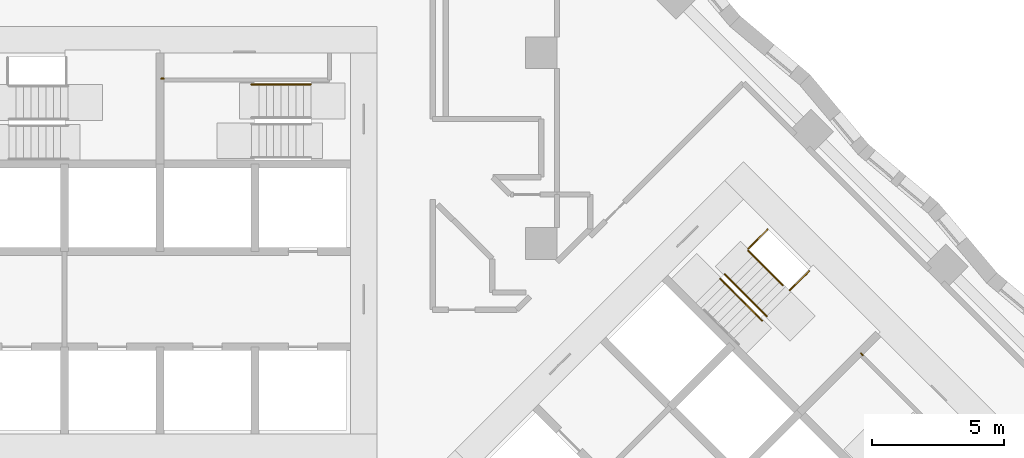
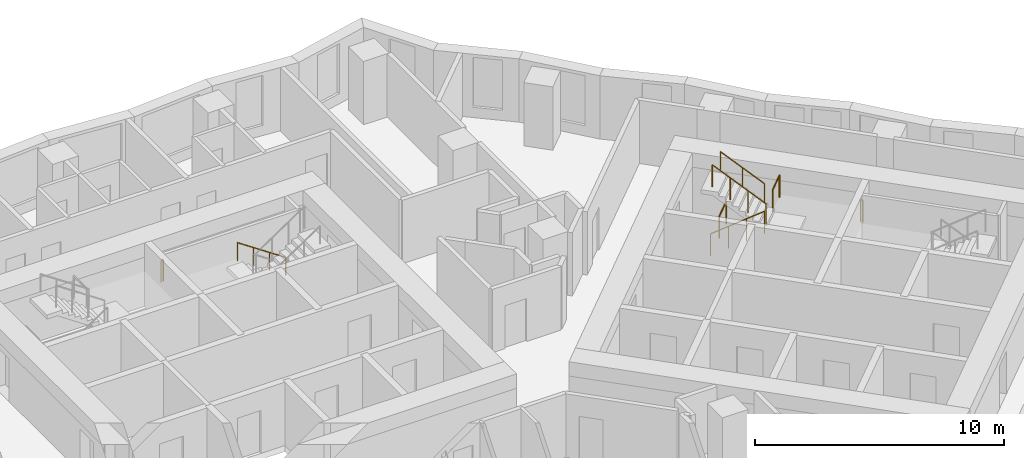
# One storey, part 15 of 15: 8 railings.
"""IFC4 building model written with IfcOpenShell, lengths in metres."""

from ifc_helpers import new_model, si_unit, direction, frame, origin, origin_2d, place, context, subcontext, project, spatial, circle, extrude, material, type_object, element, save


model = new_model("IFC4")

# Units and contexts
model_context = context("Model", 3, precision=1e-05, world=origin(), true_north=direction((0.0, 1.0)))
body_context = subcontext(model_context, "Body", "Model", "MODEL_VIEW")
ifc_project = project(units=[si_unit("LENGTHUNIT", "METRE"), si_unit("AREAUNIT", "SQUARE_METRE"), si_unit("VOLUMEUNIT", "CUBIC_METRE"), si_unit("PLANEANGLEUNIT", "RADIAN"), si_unit("MASSUNIT", "GRAM", prefix="KILO")], contexts=[model_context])

# Site, building, storey
site_placement = place(None, origin())
site = spatial("IfcSite", under=ifc_project, at=site_placement, CompositionType="ELEMENT")
building_placement = place(site_placement, origin())
building = spatial("IfcBuilding", under=site, at=building_placement, Name="Windrow Commons", CompositionType="ELEMENT")
storey_placement = place(building_placement, frame((0.0, 0.0, 27.0)))
storey = spatial("IfcBuildingStorey", under=building, at=storey_placement, Name="L06", CompositionType="ELEMENT", Elevation=27.0)

# Railings
ifc_material_1 = material(Name="Steel S355", Category="steel")
railing_type_1 = type_object("IfcRailingType", Name="Core stair guard 1100", PredefinedType="GUARDRAIL", material=ifc_material_1)
railing_1_placement = place(storey_placement, frame((64.95, 63.825, 1.7)))
element("IfcRailing", 1, at=railing_1_placement, inside=storey, type_object=railing_type_1, Name="L06 ST-A2 stair guard 3", PredefinedType="GUARDRAIL", context=body_context, shape_type="SweptSolid", body=[
    extrude(circle(Radius=0.024, at=origin_2d()), frame((0.0, 0.0, 1.076), z_axis=(-1.0, 0.0, 0.0), x_axis=(0.0, -1.0, 0.0)), (0.0, 0.0, 1.0), 0.1),
    extrude(circle(Radius=0.021, at=origin_2d()), origin(), (0.0, 0.0, 1.0), 1.052),
    extrude(circle(Radius=0.021, at=origin_2d()), frame((-0.1, 0.0, 0.0)), (0.0, 0.0, 1.0), 1.052),
])
railing_2_placement = place(storey_placement, frame((85.9529, 56.2669, 0.1889)))
element("IfcRailing", 2, at=railing_2_placement, inside=storey, type_object=railing_type_1, Name="L06 ST-B1 stair guard 1", PredefinedType="GUARDRAIL", context=body_context, shape_type="SweptSolid", body=[
    extrude(circle(Radius=0.024, at=origin_2d()), frame((0.0, 0.0, 1.076), z_axis=(0.5861914914, -0.5861914914, 0.5592486664), x_axis=(0.7071067812, 0.7071067812, 0.0)), (0.0, 0.0, 1.0), 2.702),
    extrude(circle(Radius=0.021, at=origin_2d()), origin(), (0.0, 0.0, 1.0), 1.052),
    extrude(circle(Radius=0.021, at=origin_2d()), frame((0.528, -0.528, 0.5037)), (0.0, 0.0, 1.0), 1.052),
    extrude(circle(Radius=0.021, at=origin_2d()), frame((1.0559, -1.0559, 1.0074)), (0.0, 0.0, 1.0), 1.052),
    extrude(circle(Radius=0.021, at=origin_2d()), frame((1.5839, -1.5839, 1.5111)), (0.0, 0.0, 1.0), 1.052),
])
railing_3_placement = place(storey_placement, frame((87.7136, 54.8597, 1.8889)))
element("IfcRailing", 3, at=railing_3_placement, inside=storey, type_object=railing_type_1, Name="L06 ST-B1 stair guard 2", PredefinedType="GUARDRAIL", context=body_context, shape_type="SweptSolid", body=[
    extrude(circle(Radius=0.024, at=origin_2d()), frame((0.0, 0.0, 1.076), z_axis=(-0.5862030657, 0.5862030657, 0.5592244018), x_axis=(-0.7071067812, -0.7071067812, 0.0)), (0.0, 0.0, 1.0), 2.7021),
    extrude(circle(Radius=0.021, at=origin_2d()), origin(), (0.0, 0.0, 1.0), 1.052),
    extrude(circle(Radius=0.021, at=origin_2d()), frame((-0.528, 0.528, 0.5037)), (0.0, 0.0, 1.0), 1.052),
    extrude(circle(Radius=0.021, at=origin_2d()), frame((-1.056, 1.056, 1.0074)), (0.0, 0.0, 1.0), 1.052),
    extrude(circle(Radius=0.021, at=origin_2d()), frame((-1.584, 1.584, 1.5111)), (0.0, 0.0, 1.0), 1.052),
])
railing_4_placement = place(storey_placement, frame((87.0135, 57.3982, 0.0)))
element("IfcRailing", 4, at=railing_4_placement, inside=storey, type_object=railing_type_1, Name="L06 ST-B1 stair guard 3", PredefinedType="GUARDRAIL", context=body_context, shape_type="SweptSolid", body=[
    extrude(circle(Radius=0.024, at=origin_2d()), frame((0.0, 0.0, 1.076), z_axis=(0.7070582378, 0.7071553212, 0.0), x_axis=(-0.7071553212, 0.7070582378, 0.0)), (0.0, 0.0, 1.0), 1.03),
    extrude(circle(Radius=0.021, at=origin_2d()), origin(), (0.0, 0.0, 1.0), 1.052),
    extrude(circle(Radius=0.021, at=origin_2d()), frame((0.7283, 0.7284, 0.0)), (0.0, 0.0, 1.0), 1.052),
])
railing_5_placement = place(storey_placement, frame((88.5833, 55.8285, 1.7)))
element("IfcRailing", 5, at=railing_5_placement, inside=storey, type_object=railing_type_1, Name="L06 ST-B1 stair guard 4", PredefinedType="GUARDRAIL", context=body_context, shape_type="SweptSolid", body=[
    extrude(circle(Radius=0.024, at=origin_2d()), frame((0.0, 0.0, 1.076), z_axis=(0.7071067812, 0.7071067812, 0.0), x_axis=(-0.7071067812, 0.7071067812, 0.0)), (0.0, 0.0, 1.0), 1.03),
    extrude(circle(Radius=0.021, at=origin_2d()), origin(), (0.0, 0.0, 1.0), 1.052),
    extrude(circle(Radius=0.021, at=origin_2d()), frame((0.7283, 0.7283, 0.0)), (0.0, 0.0, 1.0), 1.052),
])
railing_6_placement = place(storey_placement, frame((91.3446, 53.3854, 1.7)))
element("IfcRailing", 6, at=railing_6_placement, inside=storey, type_object=railing_type_1, Name="L06 ST-B2 stair guard 3", PredefinedType="GUARDRAIL", context=body_context, shape_type="SweptSolid", body=[
    extrude(circle(Radius=0.024, at=origin_2d()), frame((0.0, 0.0, 1.076), z_axis=(-0.7076063266, 0.7066068826, 0.0), x_axis=(-0.7066068826, -0.7076063266, 0.0)), (0.0, 0.0, 1.0), 0.1001),
    extrude(circle(Radius=0.021, at=origin_2d()), origin(), (0.0, 0.0, 1.0), 1.052),
    extrude(circle(Radius=0.021, at=origin_2d()), frame((-0.0708, 0.0707, 0.0)), (0.0, 0.0, 1.0), 1.052),
])
ifc_material_2 = material(Name="Steel S355", Category="steel")
railing_type_2 = type_object("IfcRailingType", Name="Core stair handrail 900", PredefinedType="HANDRAIL", material=ifc_material_2)
railing_7_placement = place(storey_placement, frame((70.5, 63.605, 0.1889)))
element("IfcRailing", 7, at=railing_7_placement, inside=storey, type_object=railing_type_2, Name="L06 ST-A2 stair handrail 1", PredefinedType="HANDRAIL", context=body_context, shape_type="SweptSolid", body=[
    extrude(circle(Radius=0.024, at=origin_2d()), frame((0.0, 0.0, 0.876), z_axis=(-0.8290030985, 0.0, 0.5592440099), x_axis=(0.0, -1.0, 0.0)), (0.0, 0.0, 1.0), 2.702),
    extrude(circle(Radius=0.021, at=origin_2d()), origin(), (0.0, 0.0, 1.0), 0.852),
    extrude(circle(Radius=0.021, at=origin_2d()), frame((-0.7467, 0.0, 0.5037)), (0.0, 0.0, 1.0), 0.852),
    extrude(circle(Radius=0.021, at=origin_2d()), frame((-1.4933, 0.0, 1.0074)), (0.0, 0.0, 1.0), 0.852),
    extrude(circle(Radius=0.021, at=origin_2d()), frame((-2.24, 0.0, 1.5111)), (0.0, 0.0, 1.0), 0.852),
])
railing_8_placement = place(storey_placement, frame((88.3146, 56.0265, 2.1587)))
element("IfcRailing", 8, at=railing_8_placement, inside=storey, type_object=railing_type_2, Name="L06 ST-B1 stair handrail 2", PredefinedType="HANDRAIL", context=body_context, shape_type="SweptSolid", body=[
    extrude(circle(Radius=0.024, at=origin_2d()), frame((0.0, 0.0, 0.876), z_axis=(-0.586206706, 0.5861616513, 0.5592639952), x_axis=(-0.7070796062, -0.7071339551, 0.0)), (0.0, 0.0, 1.0), 2.2195),
    extrude(circle(Radius=0.021, at=origin_2d()), origin(), (0.0, 0.0, 1.0), 0.852),
    extrude(circle(Radius=0.021, at=origin_2d()), frame((-0.6506, 0.6505, 0.6206)), (0.0, 0.0, 1.0), 0.852),
    extrude(circle(Radius=0.021, at=origin_2d()), frame((-1.3011, 1.301, 1.2413)), (0.0, 0.0, 1.0), 0.852),
])

save(model, "model.ifc")
